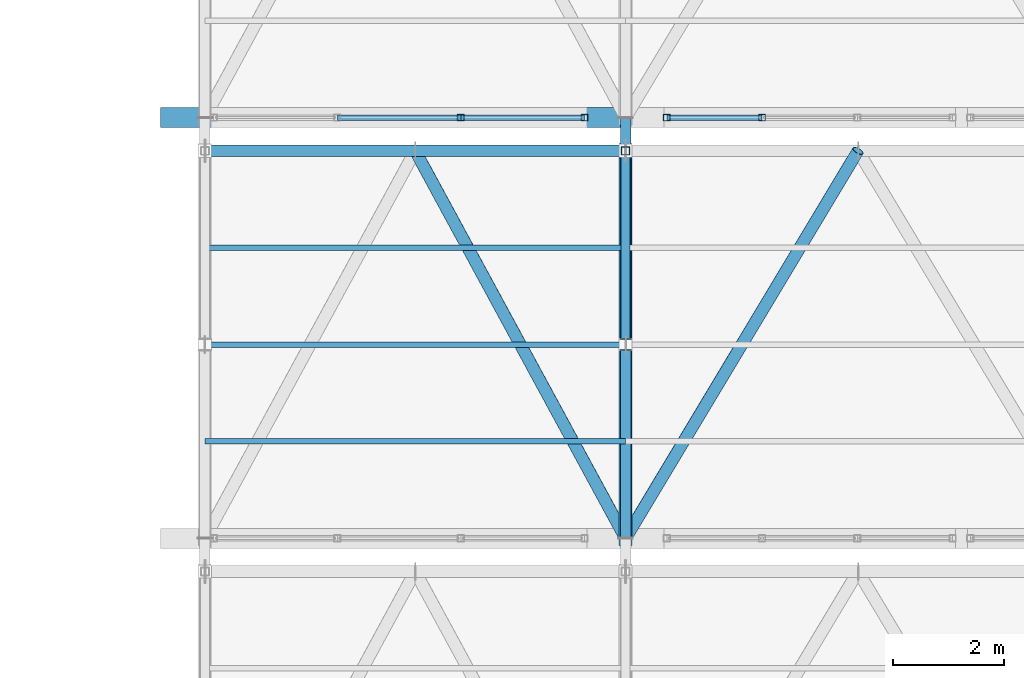
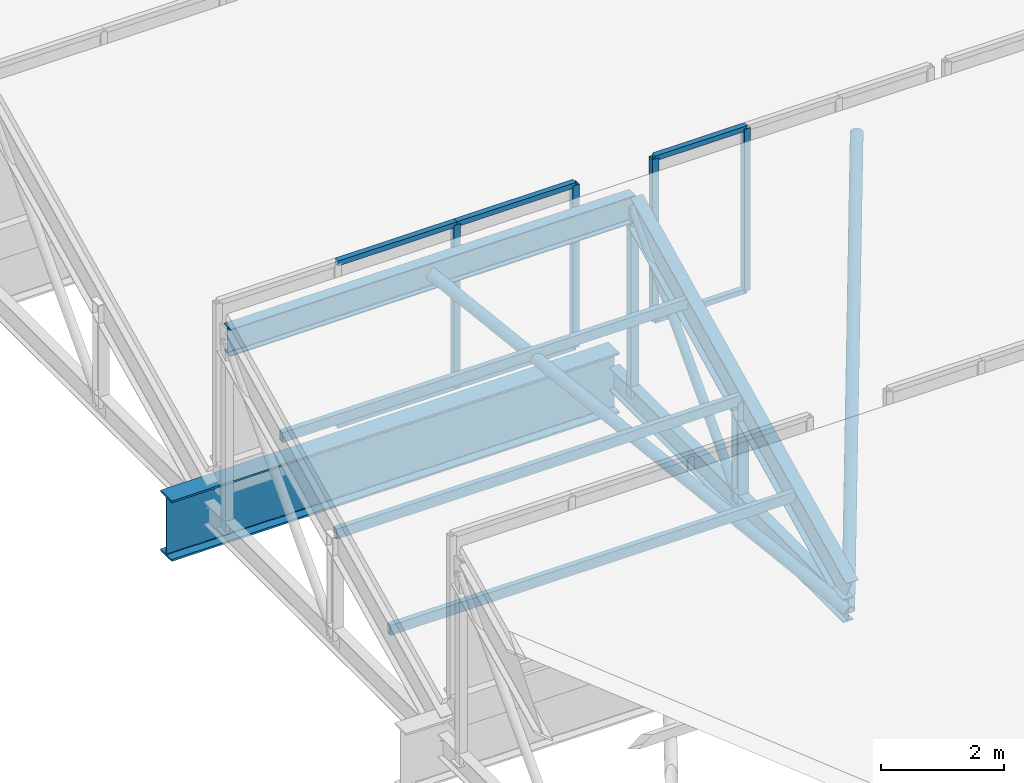
# One storey, part 12 of 57: 21 members, 1 beam, 2 elements without a shape of their own.
"""IFC4 building model written with IfcOpenShell, lengths in metres."""

from ifc_helpers import new_model, si_unit, direction, frame, origin, origin_2d, place, context, subcontext, project, spatial, hollow_rectangle, hollow_circle, i_section, extrude, material, material_profile, profile_set, type_object, element, aggregate, save


model = new_model("IFC4")

# Units and contexts
model_context = context("Model", 3, precision=1e-05, world=origin(), true_north=direction((0.0, 1.0)))
body_context = subcontext(model_context, "Body", "Model", "MODEL_VIEW")
ifc_project = project(units=[si_unit("LENGTHUNIT", "METRE"), si_unit("AREAUNIT", "SQUARE_METRE"), si_unit("VOLUMEUNIT", "CUBIC_METRE"), si_unit("PLANEANGLEUNIT", "RADIAN"), si_unit("MASSUNIT", "GRAM", prefix="KILO")], contexts=[model_context])

# Site, building, storey
site_placement = place(None, origin())
site = spatial("IfcSite", under=ifc_project, at=site_placement, CompositionType="ELEMENT")
building_placement = place(site_placement, origin())
building = spatial("IfcBuilding", under=site, at=building_placement, Name="Zuvorla Pavilion Media Centre", CompositionType="ELEMENT")
storey_placement = place(building_placement, frame((0.0, 0.0, 18.0)))
storey = spatial("IfcBuildingStorey", under=building, at=storey_placement, Name="L04", CompositionType="ELEMENT", Elevation=18.0)

# Beam
ifc_material_1 = material(Name="Steel S355", Category="steel")
ifc_material_profile_1 = material_profile(ifc_material_1, i_section(OverallWidth=0.360107421875, OverallDepth=1.199951171875, WebThickness=0.02001953125, FlangeThickness=0.0380859375, FilletRadius=0.02392578125, at=origin_2d()), Name="PG 1200x360x38")
ifc_profile_set_1 = profile_set([ifc_material_profile_1], Name="Steel S355")
beam_type = type_object("IfcBeamType", Name="BM-PG1200", PredefinedType="BEAM", material=ifc_profile_set_1)
beam_placement = place(storey_placement, frame((117.199951171875, 28.800048828125, -0.887939453125), z_axis=(1.0, 0.0, 0.0), x_axis=(0.0, 1.0, 0.0)))
element("IfcBeam", 1, at=beam_placement, inside=storey, type_object=beam_type, Name="L04 beam B01 1823", PredefinedType="BEAM", context=body_context, shape_type="SweptSolid", body=[
    extrude(i_section(OverallWidth=0.360107421875, OverallDepth=1.199951171875, WebThickness=0.02001953125, FlangeThickness=0.0380859375, FilletRadius=0.02392578125, at=origin_2d()), origin(), (0.0, 0.0, 1.0), 8.400146484375),
])

# Curtain wall, members
ifc_material_2 = material(Name="Unitised anodised aluminium and solar glass curtain wall", Category="aluminium")
curtain_wall_type_1 = type_object("IfcCurtainWallType", Name="CW-SYS-90", PredefinedType="USERDEFINED", material=ifc_material_2)
curtain_wall_1_placement = place(storey_placement, origin())
curtain_wall_1 = element("IfcCurtainWall", 2, at=curtain_wall_1_placement, inside=storey, type_object=curtain_wall_type_1, Name="L04 curtain wall CW90 235", ObjectType="CURTAIN WALL", PredefinedType="USERDEFINED")
ifc_material_3 = material(Name="Anodised aluminium 6063-T6", Category="aluminium")
ifc_material_profile_2 = material_profile(ifc_material_3, hollow_rectangle(XDim=0.1201171875, YDim=0.1201171875, WallThickness=0.0048828125, at=origin_2d()), Name="ALU MULL 120x120")
ifc_profile_set_2 = profile_set([ifc_material_profile_2], Name="Anodised aluminium 6063-T6")
member_type_1 = type_object("IfcMemberType", Name="CW-MULL-120", PredefinedType="MULLION", material=ifc_profile_set_2)
member_1_placement = place(storey_placement, frame((122.623779296875, 28.800048828125, 0.0), z_axis=(0.0, 0.0, 1.0), x_axis=(1.0, 0.0, 0.0)))
member_1 = element("IfcMember", 3, at=member_1_placement, type_object=member_type_1, Name="CW90 mullion 3", PredefinedType="MULLION", context=body_context, shape_type="SweptSolid", body=[
    extrude(hollow_rectangle(XDim=0.1201171875, YDim=0.1201171875, WallThickness=0.0048828125, at=origin_2d()), origin(), (0.0, 0.0, 1.0), 3.219970703125),
])
member_2_placement = place(storey_placement, frame((124.855712890625, 28.800048828125, 0.0), z_axis=(0.0, 0.0, 1.0), x_axis=(1.0, 0.0, 0.0)))
member_2 = element("IfcMember", 4, at=member_2_placement, type_object=member_type_1, Name="CW90 mullion 4", PredefinedType="MULLION", context=body_context, shape_type="SweptSolid", body=[
    extrude(hollow_rectangle(XDim=0.1201171875, YDim=0.1201171875, WallThickness=0.0048828125, at=origin_2d()), origin(), (0.0, 0.0, 1.0), 3.219970703125),
])

curtain_wall_type_2 = type_object("IfcCurtainWallType", Name="CW-SYS-91", PredefinedType="USERDEFINED", material=ifc_material_2)
curtain_wall_2_placement = place(storey_placement, origin())
curtain_wall_2 = element("IfcCurtainWall", 5, at=curtain_wall_2_placement, inside=storey, type_object=curtain_wall_type_2, Name="L04 curtain wall CW91 236", ObjectType="CURTAIN WALL", PredefinedType="USERDEFINED")
member_3_placement = place(storey_placement, frame((126.34423828125, 28.800048828125, 0.0), z_axis=(0.0, 0.0, 1.0), x_axis=(1.0, 0.0, 0.0)))
member_3 = element("IfcMember", 6, at=member_3_placement, type_object=member_type_1, Name="CW91 mullion 1", PredefinedType="MULLION", context=body_context, shape_type="SweptSolid", body=[
    extrude(hollow_rectangle(XDim=0.1201171875, YDim=0.1201171875, WallThickness=0.0048828125, at=origin_2d()), origin(), (0.0, 0.0, 1.0), 3.219970703125),
])
member_4_placement = place(storey_placement, frame((128.065185546875, 28.800048828125, 0.0), z_axis=(0.0, 0.0, 1.0), x_axis=(1.0, 0.0, 0.0)))
member_4 = element("IfcMember", 7, at=member_4_placement, type_object=member_type_1, Name="CW91 mullion 2", PredefinedType="MULLION", context=body_context, shape_type="SweptSolid", body=[
    extrude(hollow_rectangle(XDim=0.1201171875, YDim=0.1201171875, WallThickness=0.0048828125, at=origin_2d()), origin(), (0.0, 0.0, 1.0), 3.219970703125),
])

# Member
ifc_material_profile_3 = material_profile(ifc_material_3, hollow_rectangle(XDim=0.10009765625, YDim=0.10009765625, WallThickness=0.00439453125, at=origin_2d()), Name="ALU TRAN 100x100")
ifc_profile_set_3 = profile_set([ifc_material_profile_3], Name="Anodised aluminium 6063-T6")
member_type_2 = type_object("IfcMemberType", Name="CW-TRAN-100", PredefinedType="USERDEFINED", material=ifc_profile_set_3)
member_5_placement = place(storey_placement, frame((120.391845703125, 28.800048828125, 0.0), z_axis=(1.0, 0.0, 0.0), x_axis=(0.0, 1.0, 0.0)))
member_5 = element("IfcMember", 8, at=member_5_placement, type_object=member_type_2, Name="CW90 transom 2.1", ObjectType="TRANSOM", PredefinedType="USERDEFINED", context=body_context, shape_type="SweptSolid", body=[
    extrude(hollow_rectangle(XDim=0.10009765625, YDim=0.10009765625, WallThickness=0.00439453125, at=origin_2d()), origin(), (0.0, 0.0, 1.0), 2.23193359375),
])

member_6_placement = place(storey_placement, frame((120.391845703125, 28.800048828125, 3.219970703125), z_axis=(1.0, 0.0, 0.0), x_axis=(0.0, 1.0, 0.0)))
member_6 = element("IfcMember", 9, at=member_6_placement, type_object=member_type_2, Name="CW90 transom 2.2", ObjectType="TRANSOM", PredefinedType="USERDEFINED", context=body_context, shape_type="SweptSolid", body=[
    extrude(hollow_rectangle(XDim=0.10009765625, YDim=0.10009765625, WallThickness=0.00439453125, at=origin_2d()), origin(), (0.0, 0.0, 1.0), 2.23193359375),
])

member_7_placement = place(storey_placement, frame((122.623779296875, 28.800048828125, 0.0), z_axis=(1.0, 0.0, 0.0), x_axis=(0.0, 1.0, 0.0)))
member_7 = element("IfcMember", 10, at=member_7_placement, type_object=member_type_2, Name="CW90 transom 3.1", ObjectType="TRANSOM", PredefinedType="USERDEFINED", context=body_context, shape_type="SweptSolid", body=[
    extrude(hollow_rectangle(XDim=0.10009765625, YDim=0.10009765625, WallThickness=0.00439453125, at=origin_2d()), origin(), (0.0, 0.0, 1.0), 2.23193359375),
])

member_8_placement = place(storey_placement, frame((122.623779296875, 28.800048828125, 3.219970703125), z_axis=(1.0, 0.0, 0.0), x_axis=(0.0, 1.0, 0.0)))
member_8 = element("IfcMember", 11, at=member_8_placement, type_object=member_type_2, Name="CW90 transom 3.2", ObjectType="TRANSOM", PredefinedType="USERDEFINED", context=body_context, shape_type="SweptSolid", body=[
    extrude(hollow_rectangle(XDim=0.10009765625, YDim=0.10009765625, WallThickness=0.00439453125, at=origin_2d()), origin(), (0.0, 0.0, 1.0), 2.23193359375),
])

aggregate(curtain_wall_1, [member_1, member_2, member_5, member_6, member_7, member_8])

member_9_placement = place(storey_placement, frame((126.34423828125, 28.800048828125, 0.0), z_axis=(1.0, 0.0, 0.0), x_axis=(0.0, 1.0, 0.0)))
member_9 = element("IfcMember", 12, at=member_9_placement, type_object=member_type_2, Name="CW91 transom 1.1", ObjectType="TRANSOM", PredefinedType="USERDEFINED", context=body_context, shape_type="SweptSolid", body=[
    extrude(hollow_rectangle(XDim=0.10009765625, YDim=0.10009765625, WallThickness=0.00439453125, at=origin_2d()), origin(), (0.0, 0.0, 1.0), 1.720947265625),
])

member_10_placement = place(storey_placement, frame((126.34423828125, 28.800048828125, 3.219970703125), z_axis=(1.0, 0.0, 0.0), x_axis=(0.0, 1.0, 0.0)))
member_10 = element("IfcMember", 13, at=member_10_placement, type_object=member_type_2, Name="CW91 transom 1.2", ObjectType="TRANSOM", PredefinedType="USERDEFINED", context=body_context, shape_type="SweptSolid", body=[
    extrude(hollow_rectangle(XDim=0.10009765625, YDim=0.10009765625, WallThickness=0.00439453125, at=origin_2d()), origin(), (0.0, 0.0, 1.0), 1.720947265625),
])

aggregate(curtain_wall_2, [member_3, member_4, member_9, member_10])

# Members
ifc_material_profile_4 = material_profile(ifc_material_1, hollow_circle(Radius=0.084228515625, WallThickness=0.008056640625, at=origin_2d()), Name="CHS 168.3x8")
ifc_profile_set_4 = profile_set([ifc_material_profile_4], Name="Steel S355")
member_type_3 = type_object("IfcMemberType", Name="MEM-BRC-CHS168", PredefinedType="BRACE", material=ifc_profile_set_4)
member_11_placement = place(storey_placement, frame((125.60009765625, 24.699951171875, -0.8798828125), z_axis=(0.0, 0.681156069412, 0.732138244529), x_axis=(-1.0, 0.0, 0.0)))
element("IfcMember", 14, at=member_11_placement, inside=storey, type_object=member_type_3, Name="L04 diagonal brace TB03 626", PredefinedType="BRACE", context=body_context, shape_type="SweptSolid", body=[
    extrude(hollow_circle(Radius=0.084228515625, WallThickness=0.008056640625, at=origin_2d()), origin(), (0.0, 0.0, 1.0), 5.138427734375),
])
ifc_material_profile_5 = material_profile(ifc_material_1, hollow_circle(Radius=0.109619140625, WallThickness=0.010009765625, at=origin_2d()), Name="CHS 219.1x10")
ifc_profile_set_5 = profile_set([ifc_material_profile_5], Name="Steel S355")
member_type_4 = type_object("IfcMemberType", Name="MEM-BRC-CHS219", PredefinedType="BRACE", material=ifc_profile_set_5)
member_12_placement = place(storey_placement, frame((121.800048828125, 28.199951171875, 2.882080078125), z_axis=(0.431398513672, -0.79467126142, -0.427074827958), x_axis=(0.878850861224, 0.477096597899, 0.0)))
element("IfcMember", 15, at=member_12_placement, inside=storey, type_object=member_type_4, Name="L04 diagonal brace TB02 650", PredefinedType="BRACE", context=body_context, shape_type="SweptSolid", body=[
    extrude(hollow_circle(Radius=0.109619140625, WallThickness=0.010009765625, at=origin_2d()), origin(), (0.0, 0.0, 1.0), 8.80859375),
])
member_13_placement = place(storey_placement, frame((125.60009765625, 21.199951171875, -0.8798828125), z_axis=(0.46726169892, 0.778778552081, 0.418533716135), x_axis=(-0.857495564561, 0.514491357322, 0.0)))
element("IfcMember", 16, at=member_13_placement, inside=storey, type_object=member_type_4, Name="L04 diagonal brace TB02 655", PredefinedType="BRACE", context=body_context, shape_type="SweptSolid", body=[
    extrude(hollow_circle(Radius=0.109619140625, WallThickness=0.010009765625, at=origin_2d()), origin(), (0.0, 0.0, 1.0), 8.988525390625),
])
ifc_material_profile_6 = material_profile(ifc_material_1, i_section(OverallWidth=0.19140625, OverallDepth=0.4599609375, WebThickness=0.010009765625, FlangeThickness=0.01611328125, FilletRadius=0.01025390625, at=origin_2d()), Name="UB 457x191x82")
ifc_profile_set_6 = profile_set([ifc_material_profile_6], Name="Steel S355")
member_type_5 = type_object("IfcMemberType", Name="MEM-CHD-UB457", PredefinedType="CHORD", material=ifc_profile_set_6)
member_14_placement = place(storey_placement, frame((125.60009765625, 21.199951171875, -0.8798828125), z_axis=(0.0, 1.0, 0.0), x_axis=(-1.0, 0.0, 0.0)))
element("IfcMember", 17, at=member_14_placement, inside=storey, type_object=member_type_5, Name="L04 chord TC03 623", PredefinedType="CHORD", context=body_context, shape_type="SweptSolid", body=[
    extrude(i_section(OverallWidth=0.19140625, OverallDepth=0.4599609375, WebThickness=0.010009765625, FlangeThickness=0.01611328125, FilletRadius=0.01025390625, at=origin_2d()), origin(), (0.0, 0.0, 1.0), 7.60009765625),
])
ifc_material_profile_7 = material_profile(ifc_material_1, i_section(OverallWidth=0.2099609375, OverallDepth=0.53662109375, WebThickness=0.0107421875, FlangeThickness=0.017333984375, FilletRadius=0.0126953125, at=origin_2d()), Name="UB 533x210x101")
ifc_profile_set_7 = profile_set([ifc_material_profile_7], Name="Steel S355")
member_type_6 = type_object("IfcMemberType", Name="MEM-CHD-UB533", PredefinedType="CHORD", material=ifc_profile_set_7)
member_15_placement = place(storey_placement, frame((118.0, 28.199951171875, 2.882080078125), z_axis=(1.0, 0.0, 0.0), x_axis=(0.0, 1.0, 0.0)))
element("IfcMember", 18, at=member_15_placement, inside=storey, type_object=member_type_6, Name="L04 chord TC02 648", PredefinedType="CHORD", context=body_context, shape_type="SweptSolid", body=[
    extrude(i_section(OverallWidth=0.2099609375, OverallDepth=0.53662109375, WebThickness=0.0107421875, FlangeThickness=0.017333984375, FilletRadius=0.0126953125, at=origin_2d()), origin(), (0.0, 0.0, 1.0), 7.60009765625),
])
ifc_material_profile_8 = material_profile(ifc_material_1, i_section(OverallWidth=0.22900390625, OverallDepth=0.6123046875, WebThickness=0.011962890625, FlangeThickness=0.01953125, FilletRadius=0.0126953125, at=origin_2d()), Name="UB 610x229x125")
ifc_profile_set_8 = profile_set([ifc_material_profile_8], Name="Steel S355")
member_type_7 = type_object("IfcMemberType", Name="MEM-CHD-UB610", PredefinedType="CHORD", material=ifc_profile_set_8)
member_16_placement = place(storey_placement, frame((125.60009765625, 21.199951171875, -0.517822265625), z_axis=(0.0, 0.899513090263, 0.436893809117), x_axis=(-1.0, 0.0, 0.0)))
element("IfcMember", 19, at=member_16_placement, inside=storey, type_object=member_type_7, Name="L04 chord TC01 624", PredefinedType="CHORD", context=body_context, shape_type="SweptSolid", body=[
    extrude(i_section(OverallWidth=0.22900390625, OverallDepth=0.6123046875, WebThickness=0.011962890625, FlangeThickness=0.01953125, FilletRadius=0.0126953125, at=origin_2d()), origin(), (0.0, 0.0, 1.0), 7.781982421875),
])
ifc_material_profile_9 = material_profile(ifc_material_1, hollow_rectangle(XDim=0.10009765625, YDim=0.199951171875, WallThickness=0.008056640625, at=origin_2d()), Name="RHS 200x100x8")
ifc_profile_set_9 = profile_set([ifc_material_profile_9], Name="Steel S355")
member_type_8 = type_object("IfcMemberType", Name="MEM-PUR-RHS200", PredefinedType="PURLIN", material=ifc_profile_set_9)
for number, where, z_axis, x_axis, name in (
    (20, (118.0, 22.949951171875, 0.33203125), (1.0, 0.0, 0.0), (0.0, 1.0, 0.0), "L04 purlin PR01 651"),
    (21, (118.0, 24.699951171875, 1.18212890625), (1.0, 0.0, 0.0), (0.0, 1.0, 0.0), "L04 purlin PR01 652"),
    (22, (118.0, 26.449951171875, 2.031982421875), (1.0, 0.0, 0.0), (0.0, 1.0, 0.0), "L04 purlin PR01 653"),
):
    element("IfcMember", number, at=place(storey_placement, frame(where, z_axis=z_axis, x_axis=x_axis)), inside=storey, type_object=member_type_8, Name=name, PredefinedType="PURLIN", context=body_context, shape_type="SweptSolid", body=[
        extrude(hollow_rectangle(XDim=0.10009765625, YDim=0.199951171875, WallThickness=0.008056640625, at=origin_2d()), origin(), (0.0, 0.0, 1.0), 7.60009765625),
    ])
ifc_material_profile_10 = material_profile(ifc_material_1, hollow_rectangle(XDim=0.14990234375, YDim=0.14990234375, WallThickness=0.008056640625, at=origin_2d()), Name="SHS 150x150x8")
ifc_profile_set_10 = profile_set([ifc_material_profile_10], Name="Steel S355")
member_type_9 = type_object("IfcMemberType", Name="MEM-STR-SHS150", PredefinedType="STRUT", material=ifc_profile_set_10)
member_17_placement = place(storey_placement, frame((125.60009765625, 28.199951171875, -0.8798828125), z_axis=(0.0, 0.0, 1.0), x_axis=(1.0, 0.0, 0.0)))
element("IfcMember", 23, at=member_17_placement, inside=storey, type_object=member_type_9, Name="L04 vertical strut TS01 625", PredefinedType="STRUT", context=body_context, shape_type="SweptSolid", body=[
    extrude(hollow_rectangle(XDim=0.14990234375, YDim=0.14990234375, WallThickness=0.008056640625, at=origin_2d()), origin(), (0.0, 0.0, 1.0), 3.761962890625),
])
ifc_material_profile_11 = material_profile(ifc_material_1, i_section(OverallWidth=0.205810546875, OverallDepth=0.209716796875, WebThickness=0.009521484375, FlangeThickness=0.01416015625, FilletRadius=0.01025390625, at=origin_2d()), Name="UC 203x203x60")
ifc_profile_set_11 = profile_set([ifc_material_profile_11], Name="Steel S355")
member_type_10 = type_object("IfcMemberType", Name="MEM-STR-UC203", PredefinedType="STRUT", material=ifc_profile_set_11)
member_18_placement = place(storey_placement, frame((125.60009765625, 24.699951171875, -0.8798828125), z_axis=(0.0, 0.0, 1.0), x_axis=(1.0, 0.0, 0.0)))
element("IfcMember", 24, at=member_18_placement, inside=storey, type_object=member_type_10, Name="L04 vertical strut TS02 627", PredefinedType="STRUT", context=body_context, shape_type="SweptSolid", body=[
    extrude(i_section(OverallWidth=0.205810546875, OverallDepth=0.209716796875, WebThickness=0.009521484375, FlangeThickness=0.01416015625, FilletRadius=0.01025390625, at=origin_2d()), origin(), (0.0, 0.0, 1.0), 2.06201171875),
])

save(model, "model.ifc")
